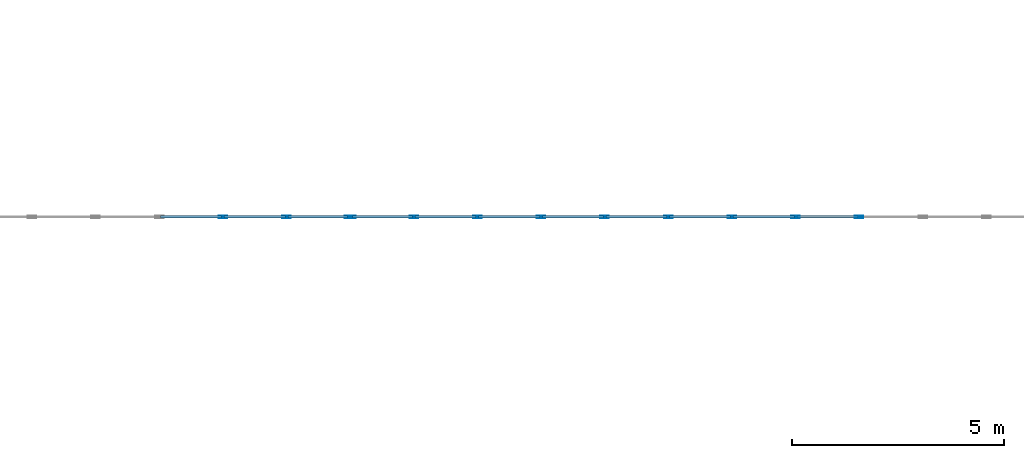
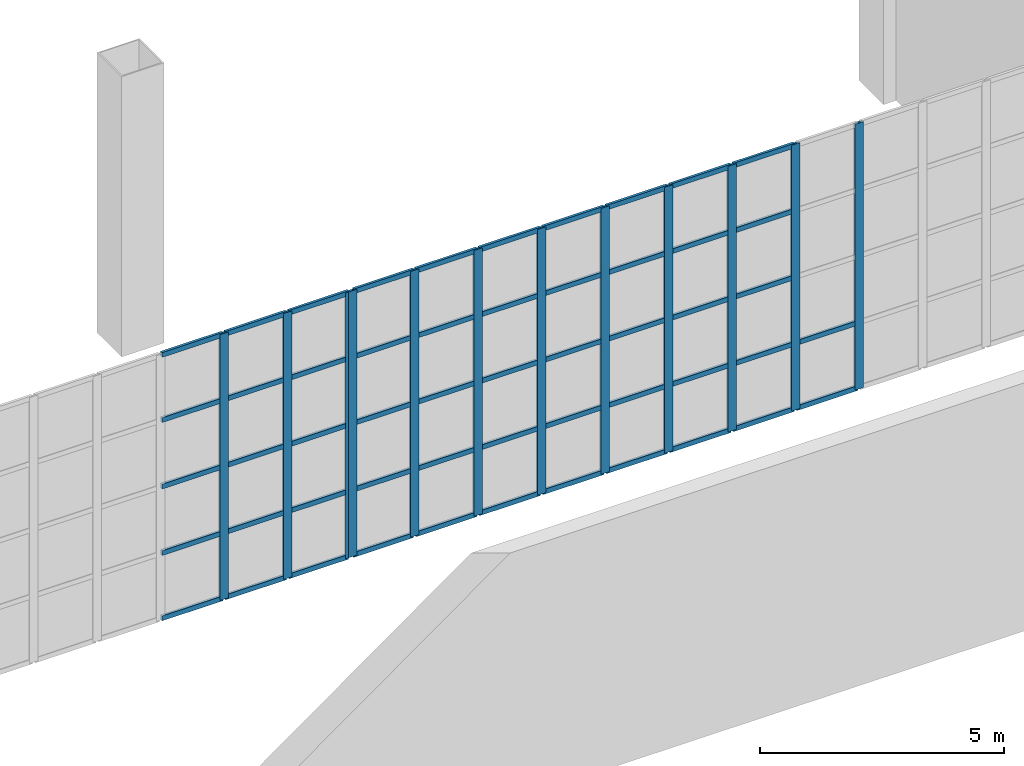
# One storey, part 20 of 85: 64 members, 2 elements without a shape of their own.
"""IFC4 building model written with IfcOpenShell, lengths in metres."""

import ifcopenshell
import ifcopenshell.guid

model = None  # the IFC model being written
_history = None  # IfcOwnerHistory: only IFC2X3 demands one
_inside = {}  # id of a spatial element -> (the spatial element, [elements in it])
_under = {}  # id of a project, library or spatial element -> (it, [spatial elements below it])
_declared = {}  # id of a project -> (the project, [libraries it declares])
_typed = {}  # id of a type object -> (the type object, [elements of that type])
_made_of = {}  # id of a material, layer set ... -> (it, [elements and type objects made of it])


def new_model(schema):
    """Start an empty IFC model of exactly this schema.

    Asked for "IFC4X3", IfcOpenShell would pick the latest addendum, in which some entities
    have other attributes; the version numbers below select the first issue.
    IFC2X3 requires an IfcOwnerHistory on every rooted entity: one is made here for all.
    """
    global model, _history
    if schema == "IFC4X3":
        model = ifcopenshell.file(schema_version=(4, 3, 0, 0))
    else:
        model = ifcopenshell.file(schema=schema)
    _inside.clear()
    _under.clear()
    _declared.clear()
    _typed.clear()
    _made_of.clear()
    _history = None
    if model.schema == "IFC2X3":
        org = make("IfcOrganization", Name="unknown")
        user = make(
            "IfcPersonAndOrganization",
            ThePerson=make("IfcPerson", FamilyName="unknown"),
            TheOrganization=org,
        )
        app = make(
            "IfcApplication",
            ApplicationDeveloper=org,
            Version="unknown",
            ApplicationFullName="unknown",
            ApplicationIdentifier="unknown",
        )
        _history = make(
            "IfcOwnerHistory",
            OwningUser=user,
            OwningApplication=app,
            ChangeAction="ADDED",
            CreationDate=0,
        )
    return model


def make(cls, **values):
    """One entity of the class cls with the attributes given. An attribute that is None is left unset."""
    return model.create_entity(
        cls, **{name: value for name, value in values.items() if value is not None}
    )


def rooted(cls, **values):
    """An entity with a GlobalId (a new one), such as an element, a storey or a relation."""
    return make(cls, GlobalId=ifcopenshell.guid.new(), OwnerHistory=_history, **values)


def si_unit(unit_type, name, prefix=None):
    """IfcSIUnit, for example si_unit("LENGTHUNIT", "METRE", prefix="MILLI")."""
    return make("IfcSIUnit", UnitType=unit_type, Prefix=prefix, Name=name)


def assignment(units):
    """IfcUnitAssignment: the units of a project."""
    return None if units is None else make("IfcUnitAssignment", Units=units)


def point(xyz):
    """IfcCartesianPoint."""
    return None if xyz is None else make("IfcCartesianPoint", Coordinates=xyz)


def direction(xyz):
    """IfcDirection."""
    return None if xyz is None else make("IfcDirection", DirectionRatios=xyz)


def frame(location, z_axis=None, x_axis=None):
    """IfcAxis2Placement3D, a coordinate frame: its origin and axes. An axis left out is left unset."""
    return make(
        "IfcAxis2Placement3D",
        Location=point(location),
        Axis=direction(z_axis),
        RefDirection=direction(x_axis),
    )


def frame_2d(location, x_axis=None):
    """IfcAxis2Placement2D, a coordinate frame in the plane: its origin and x axis."""
    return make(
        "IfcAxis2Placement2D", Location=point(location), RefDirection=direction(x_axis)
    )


def origin():
    """The frame at (0, 0, 0) with its axes left unset."""
    return frame((0.0, 0.0, 0.0))


def origin_2d():
    """The frame at (0, 0) in the plane with its x axis left unset."""
    return frame_2d((0.0, 0.0))


def place(relative_to, where):
    """IfcLocalPlacement: puts the frame where relative to a parent placement (None: the world)."""
    return make(
        "IfcLocalPlacement", PlacementRelTo=relative_to, RelativePlacement=where
    )


def context(
    kind, dimensions, precision=None, world=None, true_north=None, identifier=None
):
    """IfcGeometricRepresentationContext, for example the 3D "Model" context."""
    return make(
        "IfcGeometricRepresentationContext",
        ContextIdentifier=identifier,
        ContextType=kind,
        CoordinateSpaceDimension=dimensions,
        Precision=precision,
        WorldCoordinateSystem=world,
        TrueNorth=true_north,
    )


def subcontext(parent, identifier, kind, view, scale=None):
    """IfcGeometricRepresentationSubContext, for example "Body" below "Model"."""
    return make(
        "IfcGeometricRepresentationSubContext",
        ContextIdentifier=identifier,
        ContextType=kind,
        ParentContext=parent,
        TargetScale=scale,
        TargetView=view,
    )


def project(units=None, contexts=None):
    """IfcProject with its units and contexts."""
    return rooted(
        "IfcProject",
        Name="project",
        RepresentationContexts=contexts,
        UnitsInContext=assignment(units),
    )


def spatial(cls, under=None, at=None, **own):
    """A site, building, storey or space (cls), placed at a placement, below another one or the project."""
    s = rooted(cls, ObjectPlacement=at, **own)
    if under is not None:
        _under.setdefault(under.id(), (under, []))[1].append(s)
    return s


def profile(cls, at=None, kind="AREA", **sizes):
    """A parametric profile (cls). Its sizes go by their IFC names, for example OverallWidth=200.0."""
    return make(cls, ProfileType=kind, Position=at, **sizes)


def hollow_rectangle(**sizes):
    """IfcRectangleHollowProfileDef."""
    return profile("IfcRectangleHollowProfileDef", **sizes)


def extrude(swept, where, along, depth):
    """IfcExtrudedAreaSolid: the profile swept, set in the frame where, extruded along a direction by depth."""
    return make(
        "IfcExtrudedAreaSolid",
        SweptArea=swept,
        Position=where,
        ExtrudedDirection=direction(along),
        Depth=depth,
    )


def shape(context_of_items, identifier, shape_type, items):
    """IfcShapeRepresentation: the items that make up one representation, for example the "Body"."""
    return make(
        "IfcShapeRepresentation",
        ContextOfItems=context_of_items,
        RepresentationIdentifier=identifier,
        RepresentationType=shape_type,
        Items=items,
    )


def material(Name=None, Category=None):
    """IfcMaterial."""
    return make("IfcMaterial", Name=Name, Category=Category)


def layer(
    of_material, thickness, ventilated=None, Name=None, Category=None, Priority=None
):
    """IfcMaterialLayer: one layer of a wall or slab, of a material (None: an air gap)."""
    return make(
        "IfcMaterialLayer",
        Material=of_material,
        LayerThickness=thickness,
        IsVentilated=ventilated,
        Name=Name,
        Category=Category,
        Priority=Priority,
    )


def layer_set(layers, Name=None):
    """IfcMaterialLayerSet."""
    return make("IfcMaterialLayerSet", MaterialLayers=layers, LayerSetName=Name)


def material_profile(
    of_material, cross_section, Name=None, Category=None, Priority=None
):
    """IfcMaterialProfile: a cross section and its material."""
    return make(
        "IfcMaterialProfile",
        Name=Name,
        Material=of_material,
        Profile=cross_section,
        Priority=Priority,
        Category=Category,
    )


def profile_set(profiles, Name=None, composite=None):
    """IfcMaterialProfileSet."""
    return make(
        "IfcMaterialProfileSet",
        Name=Name,
        MaterialProfiles=profiles,
        CompositeProfile=composite,
    )


def made_of(thing, what):
    """Note that an element or type object is made of a material, layer set ...; save() writes the relation."""
    if what is not None:
        _made_of.setdefault(what.id(), (what, []))[1].append(thing)
    return thing


def type_object(cls, material=None, **own):
    """A type object (cls), such as IfcWallType, which elements share."""
    return made_of(rooted(cls, **own), material)


def element(
    cls,
    number,
    at=None,
    inside=None,
    cuts=None,
    type_object=None,
    material=None,
    context=None,
    identifier="Body",
    shape_type=None,
    held_by="IfcProductDefinitionShape",
    body=None,
    shapes=None,
    **own,
):
    """One element of the class cls, such as IfcWall. Its Tag is "e" and its number.

    at: its placement. inside: the storey or other place that contains it. cuts: it is an
    opening in that element (IfcRelVoidsElement). A single representation is given by context,
    identifier, shape_type and body (its items); several are given by shapes. held_by: the class
    of the entity that holds the representations. save() writes the other relations.
    """
    e = rooted(cls, Tag="e%d" % number, ObjectPlacement=at, **own)
    if body is not None:
        shapes = [shape(context, identifier, shape_type, body)]
    if shapes is not None:
        e.Representation = make(held_by, Representations=shapes)
    if inside is not None:
        _inside.setdefault(inside.id(), (inside, []))[1].append(e)
    if cuts is not None:
        rooted(
            "IfcRelVoidsElement", RelatingBuildingElement=cuts, RelatedOpeningElement=e
        )
    if type_object is not None:
        _typed.setdefault(type_object.id(), (type_object, []))[1].append(e)
    return made_of(e, material)


def aggregate(whole, parts):
    """IfcRelAggregates: a whole, such as a stair, and the parts it consists of."""
    return rooted("IfcRelAggregates", RelatingObject=whole, RelatedObjects=parts)


def save(model, path):
    """Write the relations noted so far, then the file.

    IfcRelAggregates (storeys below a building ...), IfcRelContainedInSpatialStructure (elements
    in a storey), IfcRelDefinesByType, IfcRelAssociatesMaterial and IfcRelDeclares: one each for
    every whole, place, type object, material and project.
    """
    for whole, parts in _under.values():
        aggregate(whole, parts)
    for where, things in _inside.values():
        rooted(
            "IfcRelContainedInSpatialStructure",
            RelatedElements=things,
            RelatingStructure=where,
        )
    for kind, things in _typed.values():
        rooted("IfcRelDefinesByType", RelatedObjects=things, RelatingType=kind)
    for what, things in _made_of.values():
        rooted("IfcRelAssociatesMaterial", RelatedObjects=things, RelatingMaterial=what)
    for by, libraries in _declared.values():
        rooted("IfcRelDeclares", RelatingContext=by, RelatedDefinitions=libraries)
    model.write(path)


model = new_model("IFC4")

# Units and contexts
model_context = context("Model", 3, precision=1e-05, world=origin(), true_north=direction((0.0, 1.0)))
body_context = subcontext(model_context, "Body", "Model", "MODEL_VIEW")
ifc_project = project(units=[si_unit("LENGTHUNIT", "METRE"), si_unit("AREAUNIT", "SQUARE_METRE"), si_unit("VOLUMEUNIT", "CUBIC_METRE"), si_unit("PLANEANGLEUNIT", "RADIAN"), si_unit("MASSUNIT", "GRAM", prefix="KILO")], contexts=[model_context])

# Site, building, storey
site_placement = place(None, origin())
site = spatial("IfcSite", under=ifc_project, at=site_placement, CompositionType="ELEMENT")
building_placement = place(site_placement, origin())
building = spatial("IfcBuilding", under=site, at=building_placement, Name="Opaline Strait Convention Centre", CompositionType="ELEMENT")
storey_placement = place(building_placement, frame((0.0, 0.0, 17.0)))
storey = spatial("IfcBuildingStorey", under=building, at=storey_placement, Name="L03", CompositionType="ELEMENT", Elevation=17.0)

# Curtain wall, members
ifc_material_1 = material(Name="Aluminium framed glazing", Category="aluminium")
ifc_layer = layer(ifc_material_1, 0.199951171875)
ifc_layer_set = layer_set([ifc_layer], Name="Aluminium framed glazing")
curtain_wall_type = type_object("IfcCurtainWallType", Name="Entrance curtain wall 1500", PredefinedType="NOTDEFINED", material=ifc_layer_set)
curtain_wall_1_placement = place(storey_placement, origin())
curtain_wall_1 = element("IfcCurtainWall", 1, at=curtain_wall_1_placement, inside=storey, type_object=curtain_wall_type, Name="Entrance curtain wall L03-R2", PredefinedType="NOTDEFINED")
ifc_material_2 = material(Name="Aluminium alloy 6063", Category="aluminium")
ifc_material_profile_1 = material_profile(ifc_material_2, hollow_rectangle(XDim=0.06005859375, YDim=0.199951171875, WallThickness=0.00390625, at=origin_2d()), Name="MULLION 60x200x4")
ifc_profile_set_1 = profile_set([ifc_material_profile_1], Name="Aluminium alloy 6063")
member_type_1 = type_object("IfcMemberType", Name="Curtain wall mullion 60 x 200", PredefinedType="MULLION", material=ifc_profile_set_1)
member_1_placement = place(storey_placement, frame((186.0, 144.0, 0.0), z_axis=(0.0, 0.0, 1.0), x_axis=(0.0, 1.0, 0.0)))
member_1 = element("IfcMember", 2, at=member_1_placement, type_object=member_type_1, Name="XCW mullion 11", PredefinedType="MULLION", context=body_context, shape_type="SweptSolid", body=[
    extrude(hollow_rectangle(XDim=0.06005859375, YDim=0.199951171875, WallThickness=0.00390625, at=origin_2d()), origin(), (0.0, 0.0, 1.0), 6.639892578125),
])
member_2_placement = place(storey_placement, frame((187.5, 144.0, 0.0), z_axis=(0.0, 0.0, 1.0), x_axis=(0.0, 1.0, 0.0)))
member_2 = element("IfcMember", 3, at=member_2_placement, type_object=member_type_1, Name="XCW mullion 12", PredefinedType="MULLION", context=body_context, shape_type="SweptSolid", body=[
    extrude(hollow_rectangle(XDim=0.06005859375, YDim=0.199951171875, WallThickness=0.00390625, at=origin_2d()), origin(), (0.0, 0.0, 1.0), 6.639892578125),
])
member_3_placement = place(storey_placement, frame((188.969970703125, 144.0, 0.0), z_axis=(0.0, 0.0, 1.0), x_axis=(0.0, 1.0, 0.0)))
member_3 = element("IfcMember", 4, at=member_3_placement, type_object=member_type_1, Name="XCW mullion 13", PredefinedType="MULLION", context=body_context, shape_type="SweptSolid", body=[
    extrude(hollow_rectangle(XDim=0.06005859375, YDim=0.199951171875, WallThickness=0.00390625, at=origin_2d()), origin(), (0.0, 0.0, 1.0), 6.639892578125),
])

curtain_wall_2_placement = place(storey_placement, origin())
curtain_wall_2 = element("IfcCurtainWall", 5, at=curtain_wall_2_placement, inside=storey, type_object=curtain_wall_type, Name="Entrance curtain wall L03-R3", PredefinedType="NOTDEFINED")
member_4_placement = place(storey_placement, frame((189.030029296875, 144.0, 0.0), z_axis=(0.0, 0.0, 1.0), x_axis=(0.0, 1.0, 0.0)))
member_4 = element("IfcMember", 6, at=member_4_placement, type_object=member_type_1, Name="XCW mullion 1", PredefinedType="MULLION", context=body_context, shape_type="SweptSolid", body=[
    extrude(hollow_rectangle(XDim=0.06005859375, YDim=0.199951171875, WallThickness=0.00390625, at=origin_2d()), origin(), (0.0, 0.0, 1.0), 6.639892578125),
])
member_5_placement = place(storey_placement, frame((190.5, 144.0, 0.0), z_axis=(0.0, 0.0, 1.0), x_axis=(0.0, 1.0, 0.0)))
member_5 = element("IfcMember", 7, at=member_5_placement, type_object=member_type_1, Name="XCW mullion 2", PredefinedType="MULLION", context=body_context, shape_type="SweptSolid", body=[
    extrude(hollow_rectangle(XDim=0.06005859375, YDim=0.199951171875, WallThickness=0.00390625, at=origin_2d()), origin(), (0.0, 0.0, 1.0), 6.639892578125),
])
member_6_placement = place(storey_placement, frame((192.0, 144.0, 0.0), z_axis=(0.0, 0.0, 1.0), x_axis=(0.0, 1.0, 0.0)))
member_6 = element("IfcMember", 8, at=member_6_placement, type_object=member_type_1, Name="XCW mullion 3", PredefinedType="MULLION", context=body_context, shape_type="SweptSolid", body=[
    extrude(hollow_rectangle(XDim=0.06005859375, YDim=0.199951171875, WallThickness=0.00390625, at=origin_2d()), origin(), (0.0, 0.0, 1.0), 6.639892578125),
])
member_7_placement = place(storey_placement, frame((193.5, 144.0, 0.0), z_axis=(0.0, 0.0, 1.0), x_axis=(0.0, 1.0, 0.0)))
member_7 = element("IfcMember", 9, at=member_7_placement, type_object=member_type_1, Name="XCW mullion 4", PredefinedType="MULLION", context=body_context, shape_type="SweptSolid", body=[
    extrude(hollow_rectangle(XDim=0.06005859375, YDim=0.199951171875, WallThickness=0.00390625, at=origin_2d()), origin(), (0.0, 0.0, 1.0), 6.639892578125),
])
member_8_placement = place(storey_placement, frame((195.0, 144.0, 0.0), z_axis=(0.0, 0.0, 1.0), x_axis=(0.0, 1.0, 0.0)))
member_8 = element("IfcMember", 10, at=member_8_placement, type_object=member_type_1, Name="XCW mullion 5", PredefinedType="MULLION", context=body_context, shape_type="SweptSolid", body=[
    extrude(hollow_rectangle(XDim=0.06005859375, YDim=0.199951171875, WallThickness=0.00390625, at=origin_2d()), origin(), (0.0, 0.0, 1.0), 6.639892578125),
])
member_9_placement = place(storey_placement, frame((196.5, 144.0, 0.0), z_axis=(0.0, 0.0, 1.0), x_axis=(0.0, 1.0, 0.0)))
member_9 = element("IfcMember", 11, at=member_9_placement, type_object=member_type_1, Name="XCW mullion 6", PredefinedType="MULLION", context=body_context, shape_type="SweptSolid", body=[
    extrude(hollow_rectangle(XDim=0.06005859375, YDim=0.199951171875, WallThickness=0.00390625, at=origin_2d()), origin(), (0.0, 0.0, 1.0), 6.639892578125),
])
member_10_placement = place(storey_placement, frame((198.0, 144.0, 0.0), z_axis=(0.0, 0.0, 1.0), x_axis=(0.0, 1.0, 0.0)))
member_10 = element("IfcMember", 12, at=member_10_placement, type_object=member_type_1, Name="XCW mullion 7", PredefinedType="MULLION", context=body_context, shape_type="SweptSolid", body=[
    extrude(hollow_rectangle(XDim=0.06005859375, YDim=0.199951171875, WallThickness=0.00390625, at=origin_2d()), origin(), (0.0, 0.0, 1.0), 6.639892578125),
])
member_11_placement = place(storey_placement, frame((199.5, 144.0, 0.0), z_axis=(0.0, 0.0, 1.0), x_axis=(0.0, 1.0, 0.0)))
member_11 = element("IfcMember", 13, at=member_11_placement, type_object=member_type_1, Name="XCW mullion 8", PredefinedType="MULLION", context=body_context, shape_type="SweptSolid", body=[
    extrude(hollow_rectangle(XDim=0.06005859375, YDim=0.199951171875, WallThickness=0.00390625, at=origin_2d()), origin(), (0.0, 0.0, 1.0), 6.639892578125),
])
member_12_placement = place(storey_placement, frame((201.0, 144.0, 0.0), z_axis=(0.0, 0.0, 1.0), x_axis=(0.0, 1.0, 0.0)))
member_12 = element("IfcMember", 14, at=member_12_placement, type_object=member_type_1, Name="XCW mullion 9", PredefinedType="MULLION", context=body_context, shape_type="SweptSolid", body=[
    extrude(hollow_rectangle(XDim=0.06005859375, YDim=0.199951171875, WallThickness=0.00390625, at=origin_2d()), origin(), (0.0, 0.0, 1.0), 6.639892578125),
])

# Member
ifc_material_profile_2 = material_profile(ifc_material_2, hollow_rectangle(XDim=0.06005859375, YDim=0.1201171875, WallThickness=0.0029296875, at=origin_2d()), Name="TRANSOM 60x120x3")
ifc_profile_set_2 = profile_set([ifc_material_profile_2], Name="Aluminium alloy 6063")
member_type_2 = type_object("IfcMemberType", Name="Curtain wall transom 60 x 120", PredefinedType="USERDEFINED", material=ifc_profile_set_2)
member_13_placement = place(storey_placement, frame((184.530029296875, 144.0, 0.030029296875), z_axis=(1.0, 0.0, 0.0), x_axis=(0.0, 1.0, 0.0)))
member_13 = element("IfcMember", 15, at=member_13_placement, type_object=member_type_2, Name="XCW transom 10.1", ObjectType="TRANSOM", PredefinedType="USERDEFINED", context=body_context, shape_type="SweptSolid", body=[
    extrude(hollow_rectangle(XDim=0.06005859375, YDim=0.1201171875, WallThickness=0.0029296875, at=origin_2d()), origin(), (0.0, 0.0, 1.0), 1.43994140625),
])

member_14_placement = place(storey_placement, frame((184.530029296875, 144.0, 1.659912109375), z_axis=(1.0, 0.0, 0.0), x_axis=(0.0, 1.0, 0.0)))
member_14 = element("IfcMember", 16, at=member_14_placement, type_object=member_type_2, Name="XCW transom 10.2", ObjectType="TRANSOM", PredefinedType="USERDEFINED", context=body_context, shape_type="SweptSolid", body=[
    extrude(hollow_rectangle(XDim=0.06005859375, YDim=0.1201171875, WallThickness=0.0029296875, at=origin_2d()), origin(), (0.0, 0.0, 1.0), 1.43994140625),
])

member_15_placement = place(storey_placement, frame((184.530029296875, 144.0, 3.320068359375), z_axis=(1.0, 0.0, 0.0), x_axis=(0.0, 1.0, 0.0)))
member_15 = element("IfcMember", 17, at=member_15_placement, type_object=member_type_2, Name="XCW transom 10.3", ObjectType="TRANSOM", PredefinedType="USERDEFINED", context=body_context, shape_type="SweptSolid", body=[
    extrude(hollow_rectangle(XDim=0.06005859375, YDim=0.1201171875, WallThickness=0.0029296875, at=origin_2d()), origin(), (0.0, 0.0, 1.0), 1.43994140625),
])

member_16_placement = place(storey_placement, frame((184.530029296875, 144.0, 4.97998046875), z_axis=(1.0, 0.0, 0.0), x_axis=(0.0, 1.0, 0.0)))
member_16 = element("IfcMember", 18, at=member_16_placement, type_object=member_type_2, Name="XCW transom 10.4", ObjectType="TRANSOM", PredefinedType="USERDEFINED", context=body_context, shape_type="SweptSolid", body=[
    extrude(hollow_rectangle(XDim=0.06005859375, YDim=0.1201171875, WallThickness=0.0029296875, at=origin_2d()), origin(), (0.0, 0.0, 1.0), 1.43994140625),
])

member_17_placement = place(storey_placement, frame((184.530029296875, 144.0, 6.610107421875), z_axis=(1.0, 0.0, 0.0), x_axis=(0.0, 1.0, 0.0)))
member_17 = element("IfcMember", 19, at=member_17_placement, type_object=member_type_2, Name="XCW transom 10.5", ObjectType="TRANSOM", PredefinedType="USERDEFINED", context=body_context, shape_type="SweptSolid", body=[
    extrude(hollow_rectangle(XDim=0.06005859375, YDim=0.1201171875, WallThickness=0.0029296875, at=origin_2d()), origin(), (0.0, 0.0, 1.0), 1.43994140625),
])

member_18_placement = place(storey_placement, frame((186.030029296875, 144.0, 0.030029296875), z_axis=(1.0, 0.0, 0.0), x_axis=(0.0, 1.0, 0.0)))
member_18 = element("IfcMember", 20, at=member_18_placement, type_object=member_type_2, Name="XCW transom 11.1", ObjectType="TRANSOM", PredefinedType="USERDEFINED", context=body_context, shape_type="SweptSolid", body=[
    extrude(hollow_rectangle(XDim=0.06005859375, YDim=0.1201171875, WallThickness=0.0029296875, at=origin_2d()), origin(), (0.0, 0.0, 1.0), 1.43994140625),
])

member_19_placement = place(storey_placement, frame((186.030029296875, 144.0, 1.659912109375), z_axis=(1.0, 0.0, 0.0), x_axis=(0.0, 1.0, 0.0)))
member_19 = element("IfcMember", 21, at=member_19_placement, type_object=member_type_2, Name="XCW transom 11.2", ObjectType="TRANSOM", PredefinedType="USERDEFINED", context=body_context, shape_type="SweptSolid", body=[
    extrude(hollow_rectangle(XDim=0.06005859375, YDim=0.1201171875, WallThickness=0.0029296875, at=origin_2d()), origin(), (0.0, 0.0, 1.0), 1.43994140625),
])

member_20_placement = place(storey_placement, frame((186.030029296875, 144.0, 3.320068359375), z_axis=(1.0, 0.0, 0.0), x_axis=(0.0, 1.0, 0.0)))
member_20 = element("IfcMember", 22, at=member_20_placement, type_object=member_type_2, Name="XCW transom 11.3", ObjectType="TRANSOM", PredefinedType="USERDEFINED", context=body_context, shape_type="SweptSolid", body=[
    extrude(hollow_rectangle(XDim=0.06005859375, YDim=0.1201171875, WallThickness=0.0029296875, at=origin_2d()), origin(), (0.0, 0.0, 1.0), 1.43994140625),
])

member_21_placement = place(storey_placement, frame((186.030029296875, 144.0, 4.97998046875), z_axis=(1.0, 0.0, 0.0), x_axis=(0.0, 1.0, 0.0)))
member_21 = element("IfcMember", 23, at=member_21_placement, type_object=member_type_2, Name="XCW transom 11.4", ObjectType="TRANSOM", PredefinedType="USERDEFINED", context=body_context, shape_type="SweptSolid", body=[
    extrude(hollow_rectangle(XDim=0.06005859375, YDim=0.1201171875, WallThickness=0.0029296875, at=origin_2d()), origin(), (0.0, 0.0, 1.0), 1.43994140625),
])

member_22_placement = place(storey_placement, frame((186.030029296875, 144.0, 6.610107421875), z_axis=(1.0, 0.0, 0.0), x_axis=(0.0, 1.0, 0.0)))
member_22 = element("IfcMember", 24, at=member_22_placement, type_object=member_type_2, Name="XCW transom 11.5", ObjectType="TRANSOM", PredefinedType="USERDEFINED", context=body_context, shape_type="SweptSolid", body=[
    extrude(hollow_rectangle(XDim=0.06005859375, YDim=0.1201171875, WallThickness=0.0029296875, at=origin_2d()), origin(), (0.0, 0.0, 1.0), 1.43994140625),
])

member_23_placement = place(storey_placement, frame((187.530029296875, 144.0, 0.030029296875), z_axis=(1.0, 0.0, 0.0), x_axis=(0.0, 1.0, 0.0)))
member_23 = element("IfcMember", 25, at=member_23_placement, type_object=member_type_2, Name="XCW transom 12.1", ObjectType="TRANSOM", PredefinedType="USERDEFINED", context=body_context, shape_type="SweptSolid", body=[
    extrude(hollow_rectangle(XDim=0.06005859375, YDim=0.1201171875, WallThickness=0.0029296875, at=origin_2d()), origin(), (0.0, 0.0, 1.0), 1.409912109375),
])

member_24_placement = place(storey_placement, frame((187.530029296875, 144.0, 1.659912109375), z_axis=(1.0, 0.0, 0.0), x_axis=(0.0, 1.0, 0.0)))
member_24 = element("IfcMember", 26, at=member_24_placement, type_object=member_type_2, Name="XCW transom 12.2", ObjectType="TRANSOM", PredefinedType="USERDEFINED", context=body_context, shape_type="SweptSolid", body=[
    extrude(hollow_rectangle(XDim=0.06005859375, YDim=0.1201171875, WallThickness=0.0029296875, at=origin_2d()), origin(), (0.0, 0.0, 1.0), 1.409912109375),
])

member_25_placement = place(storey_placement, frame((187.530029296875, 144.0, 3.320068359375), z_axis=(1.0, 0.0, 0.0), x_axis=(0.0, 1.0, 0.0)))
member_25 = element("IfcMember", 27, at=member_25_placement, type_object=member_type_2, Name="XCW transom 12.3", ObjectType="TRANSOM", PredefinedType="USERDEFINED", context=body_context, shape_type="SweptSolid", body=[
    extrude(hollow_rectangle(XDim=0.06005859375, YDim=0.1201171875, WallThickness=0.0029296875, at=origin_2d()), origin(), (0.0, 0.0, 1.0), 1.409912109375),
])

member_26_placement = place(storey_placement, frame((187.530029296875, 144.0, 4.97998046875), z_axis=(1.0, 0.0, 0.0), x_axis=(0.0, 1.0, 0.0)))
member_26 = element("IfcMember", 28, at=member_26_placement, type_object=member_type_2, Name="XCW transom 12.4", ObjectType="TRANSOM", PredefinedType="USERDEFINED", context=body_context, shape_type="SweptSolid", body=[
    extrude(hollow_rectangle(XDim=0.06005859375, YDim=0.1201171875, WallThickness=0.0029296875, at=origin_2d()), origin(), (0.0, 0.0, 1.0), 1.409912109375),
])

member_27_placement = place(storey_placement, frame((187.530029296875, 144.0, 6.610107421875), z_axis=(1.0, 0.0, 0.0), x_axis=(0.0, 1.0, 0.0)))
member_27 = element("IfcMember", 29, at=member_27_placement, type_object=member_type_2, Name="XCW transom 12.5", ObjectType="TRANSOM", PredefinedType="USERDEFINED", context=body_context, shape_type="SweptSolid", body=[
    extrude(hollow_rectangle(XDim=0.06005859375, YDim=0.1201171875, WallThickness=0.0029296875, at=origin_2d()), origin(), (0.0, 0.0, 1.0), 1.409912109375),
])

aggregate(curtain_wall_1, [member_1, member_2, member_3, member_13, member_14, member_15, member_16, member_17, member_18, member_19, member_20, member_21, member_22, member_23, member_24, member_25, member_26, member_27])

member_28_placement = place(storey_placement, frame((189.06005859375, 144.0, 0.030029296875), z_axis=(1.0, 0.0, 0.0), x_axis=(0.0, 1.0, 0.0)))
member_28 = element("IfcMember", 30, at=member_28_placement, type_object=member_type_2, Name="XCW transom 1.1", ObjectType="TRANSOM", PredefinedType="USERDEFINED", context=body_context, shape_type="SweptSolid", body=[
    extrude(hollow_rectangle(XDim=0.06005859375, YDim=0.1201171875, WallThickness=0.0029296875, at=origin_2d()), origin(), (0.0, 0.0, 1.0), 1.409912109375),
])

member_29_placement = place(storey_placement, frame((189.06005859375, 144.0, 1.659912109375), z_axis=(1.0, 0.0, 0.0), x_axis=(0.0, 1.0, 0.0)))
member_29 = element("IfcMember", 31, at=member_29_placement, type_object=member_type_2, Name="XCW transom 1.2", ObjectType="TRANSOM", PredefinedType="USERDEFINED", context=body_context, shape_type="SweptSolid", body=[
    extrude(hollow_rectangle(XDim=0.06005859375, YDim=0.1201171875, WallThickness=0.0029296875, at=origin_2d()), origin(), (0.0, 0.0, 1.0), 1.409912109375),
])

member_30_placement = place(storey_placement, frame((189.06005859375, 144.0, 3.320068359375), z_axis=(1.0, 0.0, 0.0), x_axis=(0.0, 1.0, 0.0)))
member_30 = element("IfcMember", 32, at=member_30_placement, type_object=member_type_2, Name="XCW transom 1.3", ObjectType="TRANSOM", PredefinedType="USERDEFINED", context=body_context, shape_type="SweptSolid", body=[
    extrude(hollow_rectangle(XDim=0.06005859375, YDim=0.1201171875, WallThickness=0.0029296875, at=origin_2d()), origin(), (0.0, 0.0, 1.0), 1.409912109375),
])

member_31_placement = place(storey_placement, frame((189.06005859375, 144.0, 4.97998046875), z_axis=(1.0, 0.0, 0.0), x_axis=(0.0, 1.0, 0.0)))
member_31 = element("IfcMember", 33, at=member_31_placement, type_object=member_type_2, Name="XCW transom 1.4", ObjectType="TRANSOM", PredefinedType="USERDEFINED", context=body_context, shape_type="SweptSolid", body=[
    extrude(hollow_rectangle(XDim=0.06005859375, YDim=0.1201171875, WallThickness=0.0029296875, at=origin_2d()), origin(), (0.0, 0.0, 1.0), 1.409912109375),
])

member_32_placement = place(storey_placement, frame((189.06005859375, 144.0, 6.610107421875), z_axis=(1.0, 0.0, 0.0), x_axis=(0.0, 1.0, 0.0)))
member_32 = element("IfcMember", 34, at=member_32_placement, type_object=member_type_2, Name="XCW transom 1.5", ObjectType="TRANSOM", PredefinedType="USERDEFINED", context=body_context, shape_type="SweptSolid", body=[
    extrude(hollow_rectangle(XDim=0.06005859375, YDim=0.1201171875, WallThickness=0.0029296875, at=origin_2d()), origin(), (0.0, 0.0, 1.0), 1.409912109375),
])

member_33_placement = place(storey_placement, frame((190.530029296875, 144.0, 0.030029296875), z_axis=(1.0, 0.0, 0.0), x_axis=(0.0, 1.0, 0.0)))
member_33 = element("IfcMember", 35, at=member_33_placement, type_object=member_type_2, Name="XCW transom 2.1", ObjectType="TRANSOM", PredefinedType="USERDEFINED", context=body_context, shape_type="SweptSolid", body=[
    extrude(hollow_rectangle(XDim=0.06005859375, YDim=0.1201171875, WallThickness=0.0029296875, at=origin_2d()), origin(), (0.0, 0.0, 1.0), 1.43994140625),
])

member_34_placement = place(storey_placement, frame((190.530029296875, 144.0, 1.659912109375), z_axis=(1.0, 0.0, 0.0), x_axis=(0.0, 1.0, 0.0)))
member_34 = element("IfcMember", 36, at=member_34_placement, type_object=member_type_2, Name="XCW transom 2.2", ObjectType="TRANSOM", PredefinedType="USERDEFINED", context=body_context, shape_type="SweptSolid", body=[
    extrude(hollow_rectangle(XDim=0.06005859375, YDim=0.1201171875, WallThickness=0.0029296875, at=origin_2d()), origin(), (0.0, 0.0, 1.0), 1.43994140625),
])

member_35_placement = place(storey_placement, frame((190.530029296875, 144.0, 3.320068359375), z_axis=(1.0, 0.0, 0.0), x_axis=(0.0, 1.0, 0.0)))
member_35 = element("IfcMember", 37, at=member_35_placement, type_object=member_type_2, Name="XCW transom 2.3", ObjectType="TRANSOM", PredefinedType="USERDEFINED", context=body_context, shape_type="SweptSolid", body=[
    extrude(hollow_rectangle(XDim=0.06005859375, YDim=0.1201171875, WallThickness=0.0029296875, at=origin_2d()), origin(), (0.0, 0.0, 1.0), 1.43994140625),
])

member_36_placement = place(storey_placement, frame((190.530029296875, 144.0, 4.97998046875), z_axis=(1.0, 0.0, 0.0), x_axis=(0.0, 1.0, 0.0)))
member_36 = element("IfcMember", 38, at=member_36_placement, type_object=member_type_2, Name="XCW transom 2.4", ObjectType="TRANSOM", PredefinedType="USERDEFINED", context=body_context, shape_type="SweptSolid", body=[
    extrude(hollow_rectangle(XDim=0.06005859375, YDim=0.1201171875, WallThickness=0.0029296875, at=origin_2d()), origin(), (0.0, 0.0, 1.0), 1.43994140625),
])

member_37_placement = place(storey_placement, frame((190.530029296875, 144.0, 6.610107421875), z_axis=(1.0, 0.0, 0.0), x_axis=(0.0, 1.0, 0.0)))
member_37 = element("IfcMember", 39, at=member_37_placement, type_object=member_type_2, Name="XCW transom 2.5", ObjectType="TRANSOM", PredefinedType="USERDEFINED", context=body_context, shape_type="SweptSolid", body=[
    extrude(hollow_rectangle(XDim=0.06005859375, YDim=0.1201171875, WallThickness=0.0029296875, at=origin_2d()), origin(), (0.0, 0.0, 1.0), 1.43994140625),
])

member_38_placement = place(storey_placement, frame((192.030029296875, 144.0, 0.030029296875), z_axis=(1.0, 0.0, 0.0), x_axis=(0.0, 1.0, 0.0)))
member_38 = element("IfcMember", 40, at=member_38_placement, type_object=member_type_2, Name="XCW transom 3.1", ObjectType="TRANSOM", PredefinedType="USERDEFINED", context=body_context, shape_type="SweptSolid", body=[
    extrude(hollow_rectangle(XDim=0.06005859375, YDim=0.1201171875, WallThickness=0.0029296875, at=origin_2d()), origin(), (0.0, 0.0, 1.0), 1.43994140625),
])

member_39_placement = place(storey_placement, frame((192.030029296875, 144.0, 1.659912109375), z_axis=(1.0, 0.0, 0.0), x_axis=(0.0, 1.0, 0.0)))
member_39 = element("IfcMember", 41, at=member_39_placement, type_object=member_type_2, Name="XCW transom 3.2", ObjectType="TRANSOM", PredefinedType="USERDEFINED", context=body_context, shape_type="SweptSolid", body=[
    extrude(hollow_rectangle(XDim=0.06005859375, YDim=0.1201171875, WallThickness=0.0029296875, at=origin_2d()), origin(), (0.0, 0.0, 1.0), 1.43994140625),
])

member_40_placement = place(storey_placement, frame((192.030029296875, 144.0, 3.320068359375), z_axis=(1.0, 0.0, 0.0), x_axis=(0.0, 1.0, 0.0)))
member_40 = element("IfcMember", 42, at=member_40_placement, type_object=member_type_2, Name="XCW transom 3.3", ObjectType="TRANSOM", PredefinedType="USERDEFINED", context=body_context, shape_type="SweptSolid", body=[
    extrude(hollow_rectangle(XDim=0.06005859375, YDim=0.1201171875, WallThickness=0.0029296875, at=origin_2d()), origin(), (0.0, 0.0, 1.0), 1.43994140625),
])

member_41_placement = place(storey_placement, frame((192.030029296875, 144.0, 4.97998046875), z_axis=(1.0, 0.0, 0.0), x_axis=(0.0, 1.0, 0.0)))
member_41 = element("IfcMember", 43, at=member_41_placement, type_object=member_type_2, Name="XCW transom 3.4", ObjectType="TRANSOM", PredefinedType="USERDEFINED", context=body_context, shape_type="SweptSolid", body=[
    extrude(hollow_rectangle(XDim=0.06005859375, YDim=0.1201171875, WallThickness=0.0029296875, at=origin_2d()), origin(), (0.0, 0.0, 1.0), 1.43994140625),
])

member_42_placement = place(storey_placement, frame((192.030029296875, 144.0, 6.610107421875), z_axis=(1.0, 0.0, 0.0), x_axis=(0.0, 1.0, 0.0)))
member_42 = element("IfcMember", 44, at=member_42_placement, type_object=member_type_2, Name="XCW transom 3.5", ObjectType="TRANSOM", PredefinedType="USERDEFINED", context=body_context, shape_type="SweptSolid", body=[
    extrude(hollow_rectangle(XDim=0.06005859375, YDim=0.1201171875, WallThickness=0.0029296875, at=origin_2d()), origin(), (0.0, 0.0, 1.0), 1.43994140625),
])

member_43_placement = place(storey_placement, frame((193.530029296875, 144.0, 0.030029296875), z_axis=(1.0, 0.0, 0.0), x_axis=(0.0, 1.0, 0.0)))
member_43 = element("IfcMember", 45, at=member_43_placement, type_object=member_type_2, Name="XCW transom 4.1", ObjectType="TRANSOM", PredefinedType="USERDEFINED", context=body_context, shape_type="SweptSolid", body=[
    extrude(hollow_rectangle(XDim=0.06005859375, YDim=0.1201171875, WallThickness=0.0029296875, at=origin_2d()), origin(), (0.0, 0.0, 1.0), 1.43994140625),
])

member_44_placement = place(storey_placement, frame((193.530029296875, 144.0, 1.659912109375), z_axis=(1.0, 0.0, 0.0), x_axis=(0.0, 1.0, 0.0)))
member_44 = element("IfcMember", 46, at=member_44_placement, type_object=member_type_2, Name="XCW transom 4.2", ObjectType="TRANSOM", PredefinedType="USERDEFINED", context=body_context, shape_type="SweptSolid", body=[
    extrude(hollow_rectangle(XDim=0.06005859375, YDim=0.1201171875, WallThickness=0.0029296875, at=origin_2d()), origin(), (0.0, 0.0, 1.0), 1.43994140625),
])

member_45_placement = place(storey_placement, frame((193.530029296875, 144.0, 3.320068359375), z_axis=(1.0, 0.0, 0.0), x_axis=(0.0, 1.0, 0.0)))
member_45 = element("IfcMember", 47, at=member_45_placement, type_object=member_type_2, Name="XCW transom 4.3", ObjectType="TRANSOM", PredefinedType="USERDEFINED", context=body_context, shape_type="SweptSolid", body=[
    extrude(hollow_rectangle(XDim=0.06005859375, YDim=0.1201171875, WallThickness=0.0029296875, at=origin_2d()), origin(), (0.0, 0.0, 1.0), 1.43994140625),
])

member_46_placement = place(storey_placement, frame((193.530029296875, 144.0, 4.97998046875), z_axis=(1.0, 0.0, 0.0), x_axis=(0.0, 1.0, 0.0)))
member_46 = element("IfcMember", 48, at=member_46_placement, type_object=member_type_2, Name="XCW transom 4.4", ObjectType="TRANSOM", PredefinedType="USERDEFINED", context=body_context, shape_type="SweptSolid", body=[
    extrude(hollow_rectangle(XDim=0.06005859375, YDim=0.1201171875, WallThickness=0.0029296875, at=origin_2d()), origin(), (0.0, 0.0, 1.0), 1.43994140625),
])

member_47_placement = place(storey_placement, frame((193.530029296875, 144.0, 6.610107421875), z_axis=(1.0, 0.0, 0.0), x_axis=(0.0, 1.0, 0.0)))
member_47 = element("IfcMember", 49, at=member_47_placement, type_object=member_type_2, Name="XCW transom 4.5", ObjectType="TRANSOM", PredefinedType="USERDEFINED", context=body_context, shape_type="SweptSolid", body=[
    extrude(hollow_rectangle(XDim=0.06005859375, YDim=0.1201171875, WallThickness=0.0029296875, at=origin_2d()), origin(), (0.0, 0.0, 1.0), 1.43994140625),
])

member_48_placement = place(storey_placement, frame((195.030029296875, 144.0, 0.030029296875), z_axis=(1.0, 0.0, 0.0), x_axis=(0.0, 1.0, 0.0)))
member_48 = element("IfcMember", 50, at=member_48_placement, type_object=member_type_2, Name="XCW transom 5.1", ObjectType="TRANSOM", PredefinedType="USERDEFINED", context=body_context, shape_type="SweptSolid", body=[
    extrude(hollow_rectangle(XDim=0.06005859375, YDim=0.1201171875, WallThickness=0.0029296875, at=origin_2d()), origin(), (0.0, 0.0, 1.0), 1.43994140625),
])

member_49_placement = place(storey_placement, frame((195.030029296875, 144.0, 1.659912109375), z_axis=(1.0, 0.0, 0.0), x_axis=(0.0, 1.0, 0.0)))
member_49 = element("IfcMember", 51, at=member_49_placement, type_object=member_type_2, Name="XCW transom 5.2", ObjectType="TRANSOM", PredefinedType="USERDEFINED", context=body_context, shape_type="SweptSolid", body=[
    extrude(hollow_rectangle(XDim=0.06005859375, YDim=0.1201171875, WallThickness=0.0029296875, at=origin_2d()), origin(), (0.0, 0.0, 1.0), 1.43994140625),
])

member_50_placement = place(storey_placement, frame((195.030029296875, 144.0, 3.320068359375), z_axis=(1.0, 0.0, 0.0), x_axis=(0.0, 1.0, 0.0)))
member_50 = element("IfcMember", 52, at=member_50_placement, type_object=member_type_2, Name="XCW transom 5.3", ObjectType="TRANSOM", PredefinedType="USERDEFINED", context=body_context, shape_type="SweptSolid", body=[
    extrude(hollow_rectangle(XDim=0.06005859375, YDim=0.1201171875, WallThickness=0.0029296875, at=origin_2d()), origin(), (0.0, 0.0, 1.0), 1.43994140625),
])

member_51_placement = place(storey_placement, frame((195.030029296875, 144.0, 4.97998046875), z_axis=(1.0, 0.0, 0.0), x_axis=(0.0, 1.0, 0.0)))
member_51 = element("IfcMember", 53, at=member_51_placement, type_object=member_type_2, Name="XCW transom 5.4", ObjectType="TRANSOM", PredefinedType="USERDEFINED", context=body_context, shape_type="SweptSolid", body=[
    extrude(hollow_rectangle(XDim=0.06005859375, YDim=0.1201171875, WallThickness=0.0029296875, at=origin_2d()), origin(), (0.0, 0.0, 1.0), 1.43994140625),
])

member_52_placement = place(storey_placement, frame((195.030029296875, 144.0, 6.610107421875), z_axis=(1.0, 0.0, 0.0), x_axis=(0.0, 1.0, 0.0)))
member_52 = element("IfcMember", 54, at=member_52_placement, type_object=member_type_2, Name="XCW transom 5.5", ObjectType="TRANSOM", PredefinedType="USERDEFINED", context=body_context, shape_type="SweptSolid", body=[
    extrude(hollow_rectangle(XDim=0.06005859375, YDim=0.1201171875, WallThickness=0.0029296875, at=origin_2d()), origin(), (0.0, 0.0, 1.0), 1.43994140625),
])

member_53_placement = place(storey_placement, frame((196.530029296875, 144.0, 0.030029296875), z_axis=(1.0, 0.0, 0.0), x_axis=(0.0, 1.0, 0.0)))
member_53 = element("IfcMember", 55, at=member_53_placement, type_object=member_type_2, Name="XCW transom 6.1", ObjectType="TRANSOM", PredefinedType="USERDEFINED", context=body_context, shape_type="SweptSolid", body=[
    extrude(hollow_rectangle(XDim=0.06005859375, YDim=0.1201171875, WallThickness=0.0029296875, at=origin_2d()), origin(), (0.0, 0.0, 1.0), 1.43994140625),
])

member_54_placement = place(storey_placement, frame((196.530029296875, 144.0, 1.659912109375), z_axis=(1.0, 0.0, 0.0), x_axis=(0.0, 1.0, 0.0)))
member_54 = element("IfcMember", 56, at=member_54_placement, type_object=member_type_2, Name="XCW transom 6.2", ObjectType="TRANSOM", PredefinedType="USERDEFINED", context=body_context, shape_type="SweptSolid", body=[
    extrude(hollow_rectangle(XDim=0.06005859375, YDim=0.1201171875, WallThickness=0.0029296875, at=origin_2d()), origin(), (0.0, 0.0, 1.0), 1.43994140625),
])

member_55_placement = place(storey_placement, frame((196.530029296875, 144.0, 3.320068359375), z_axis=(1.0, 0.0, 0.0), x_axis=(0.0, 1.0, 0.0)))
member_55 = element("IfcMember", 57, at=member_55_placement, type_object=member_type_2, Name="XCW transom 6.3", ObjectType="TRANSOM", PredefinedType="USERDEFINED", context=body_context, shape_type="SweptSolid", body=[
    extrude(hollow_rectangle(XDim=0.06005859375, YDim=0.1201171875, WallThickness=0.0029296875, at=origin_2d()), origin(), (0.0, 0.0, 1.0), 1.43994140625),
])

member_56_placement = place(storey_placement, frame((196.530029296875, 144.0, 4.97998046875), z_axis=(1.0, 0.0, 0.0), x_axis=(0.0, 1.0, 0.0)))
member_56 = element("IfcMember", 58, at=member_56_placement, type_object=member_type_2, Name="XCW transom 6.4", ObjectType="TRANSOM", PredefinedType="USERDEFINED", context=body_context, shape_type="SweptSolid", body=[
    extrude(hollow_rectangle(XDim=0.06005859375, YDim=0.1201171875, WallThickness=0.0029296875, at=origin_2d()), origin(), (0.0, 0.0, 1.0), 1.43994140625),
])

member_57_placement = place(storey_placement, frame((196.530029296875, 144.0, 6.610107421875), z_axis=(1.0, 0.0, 0.0), x_axis=(0.0, 1.0, 0.0)))
member_57 = element("IfcMember", 59, at=member_57_placement, type_object=member_type_2, Name="XCW transom 6.5", ObjectType="TRANSOM", PredefinedType="USERDEFINED", context=body_context, shape_type="SweptSolid", body=[
    extrude(hollow_rectangle(XDim=0.06005859375, YDim=0.1201171875, WallThickness=0.0029296875, at=origin_2d()), origin(), (0.0, 0.0, 1.0), 1.43994140625),
])

member_58_placement = place(storey_placement, frame((198.030029296875, 144.0, 0.030029296875), z_axis=(1.0, 0.0, 0.0), x_axis=(0.0, 1.0, 0.0)))
member_58 = element("IfcMember", 60, at=member_58_placement, type_object=member_type_2, Name="XCW transom 7.1", ObjectType="TRANSOM", PredefinedType="USERDEFINED", context=body_context, shape_type="SweptSolid", body=[
    extrude(hollow_rectangle(XDim=0.06005859375, YDim=0.1201171875, WallThickness=0.0029296875, at=origin_2d()), origin(), (0.0, 0.0, 1.0), 1.43994140625),
])

member_59_placement = place(storey_placement, frame((198.030029296875, 144.0, 1.659912109375), z_axis=(1.0, 0.0, 0.0), x_axis=(0.0, 1.0, 0.0)))
member_59 = element("IfcMember", 61, at=member_59_placement, type_object=member_type_2, Name="XCW transom 7.2", ObjectType="TRANSOM", PredefinedType="USERDEFINED", context=body_context, shape_type="SweptSolid", body=[
    extrude(hollow_rectangle(XDim=0.06005859375, YDim=0.1201171875, WallThickness=0.0029296875, at=origin_2d()), origin(), (0.0, 0.0, 1.0), 1.43994140625),
])

member_60_placement = place(storey_placement, frame((198.030029296875, 144.0, 3.320068359375), z_axis=(1.0, 0.0, 0.0), x_axis=(0.0, 1.0, 0.0)))
member_60 = element("IfcMember", 62, at=member_60_placement, type_object=member_type_2, Name="XCW transom 7.3", ObjectType="TRANSOM", PredefinedType="USERDEFINED", context=body_context, shape_type="SweptSolid", body=[
    extrude(hollow_rectangle(XDim=0.06005859375, YDim=0.1201171875, WallThickness=0.0029296875, at=origin_2d()), origin(), (0.0, 0.0, 1.0), 1.43994140625),
])

member_61_placement = place(storey_placement, frame((198.030029296875, 144.0, 4.97998046875), z_axis=(1.0, 0.0, 0.0), x_axis=(0.0, 1.0, 0.0)))
member_61 = element("IfcMember", 63, at=member_61_placement, type_object=member_type_2, Name="XCW transom 7.4", ObjectType="TRANSOM", PredefinedType="USERDEFINED", context=body_context, shape_type="SweptSolid", body=[
    extrude(hollow_rectangle(XDim=0.06005859375, YDim=0.1201171875, WallThickness=0.0029296875, at=origin_2d()), origin(), (0.0, 0.0, 1.0), 1.43994140625),
])

member_62_placement = place(storey_placement, frame((198.030029296875, 144.0, 6.610107421875), z_axis=(1.0, 0.0, 0.0), x_axis=(0.0, 1.0, 0.0)))
member_62 = element("IfcMember", 64, at=member_62_placement, type_object=member_type_2, Name="XCW transom 7.5", ObjectType="TRANSOM", PredefinedType="USERDEFINED", context=body_context, shape_type="SweptSolid", body=[
    extrude(hollow_rectangle(XDim=0.06005859375, YDim=0.1201171875, WallThickness=0.0029296875, at=origin_2d()), origin(), (0.0, 0.0, 1.0), 1.43994140625),
])

member_63_placement = place(storey_placement, frame((199.530029296875, 144.0, 0.030029296875), z_axis=(1.0, 0.0, 0.0), x_axis=(0.0, 1.0, 0.0)))
member_63 = element("IfcMember", 65, at=member_63_placement, type_object=member_type_2, Name="XCW transom 8.1", ObjectType="TRANSOM", PredefinedType="USERDEFINED", context=body_context, shape_type="SweptSolid", body=[
    extrude(hollow_rectangle(XDim=0.06005859375, YDim=0.1201171875, WallThickness=0.0029296875, at=origin_2d()), origin(), (0.0, 0.0, 1.0), 1.43994140625),
])

member_64_placement = place(storey_placement, frame((199.530029296875, 144.0, 1.659912109375), z_axis=(1.0, 0.0, 0.0), x_axis=(0.0, 1.0, 0.0)))
member_64 = element("IfcMember", 66, at=member_64_placement, type_object=member_type_2, Name="XCW transom 8.2", ObjectType="TRANSOM", PredefinedType="USERDEFINED", context=body_context, shape_type="SweptSolid", body=[
    extrude(hollow_rectangle(XDim=0.06005859375, YDim=0.1201171875, WallThickness=0.0029296875, at=origin_2d()), origin(), (0.0, 0.0, 1.0), 1.43994140625),
])

aggregate(curtain_wall_2, [member_4, member_5, member_6, member_7, member_8, member_9, member_10, member_11, member_12, member_28, member_29, member_30, member_31, member_32, member_33, member_34, member_35, member_36, member_37, member_38, member_39, member_40, member_41, member_42, member_43, member_44, member_45, member_46, member_47, member_48, member_49, member_50, member_51, member_52, member_53, member_54, member_55, member_56, member_57, member_58, member_59, member_60, member_61, member_62, member_63, member_64])

save(model, "model.ifc")
